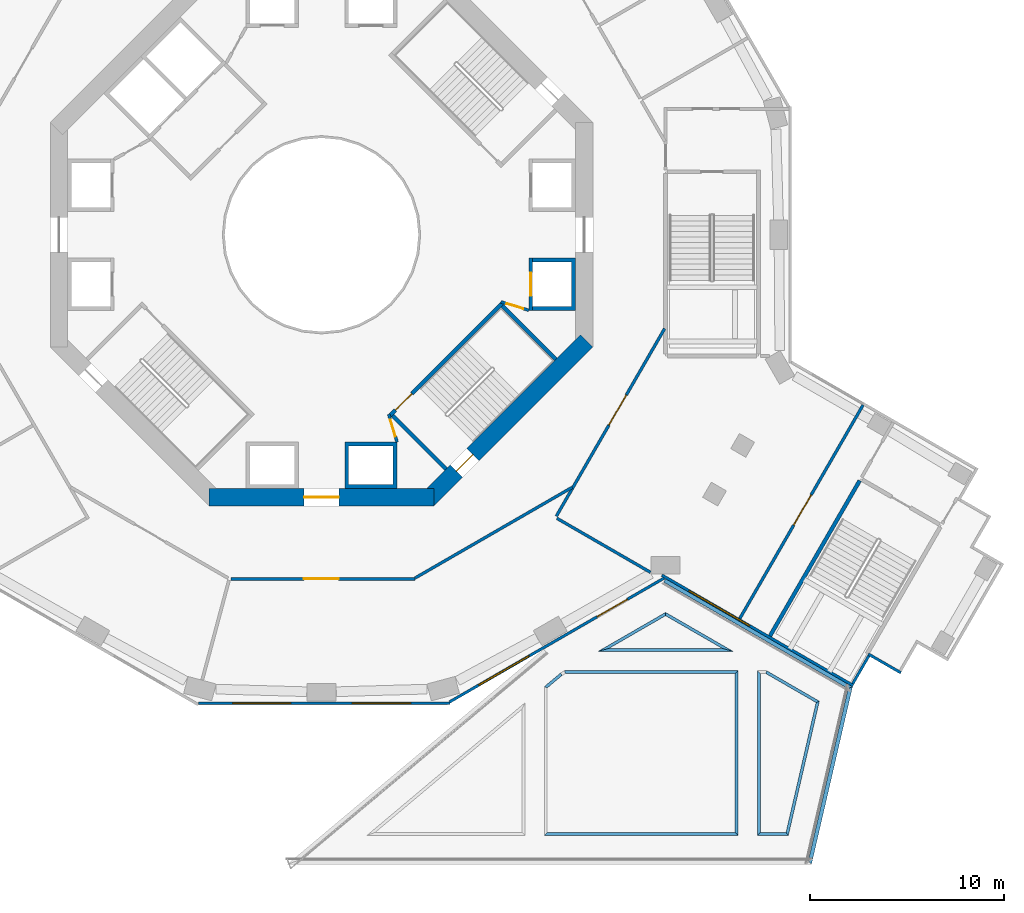
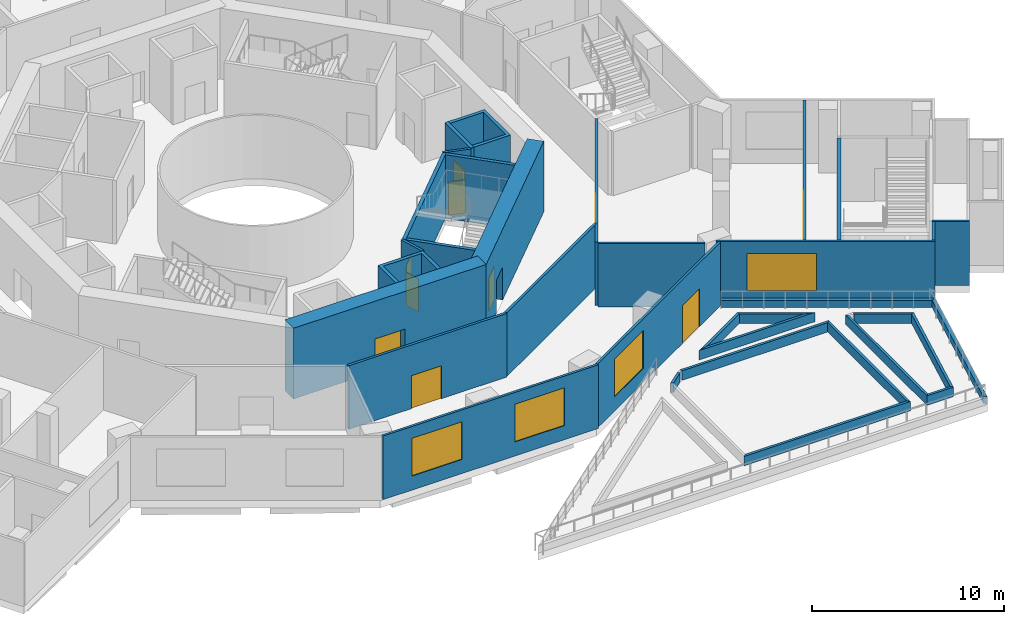
# One storey, part 4 of 21: 34 walls, 10 doors, 4 windows, 14 openings.
"""IFC4 building model written with IfcOpenShell, lengths in metres."""

from ifc_helpers import new_model, si_unit, direction, frame, frame_2d, origin, place, context, subcontext, project, spatial, polyline, rectangle, outline, extrude, material, layer, layer_set, type_object, element, fill, save


model = new_model("IFC4")

# Units and contexts
model_context = context("Model", 3, precision=1e-05, world=origin(), true_north=direction((0.0, 1.0)))
body_context = subcontext(model_context, "Body", "Model", "MODEL_VIEW")
ifc_project = project(units=[si_unit("LENGTHUNIT", "METRE"), si_unit("AREAUNIT", "SQUARE_METRE"), si_unit("VOLUMEUNIT", "CUBIC_METRE"), si_unit("PLANEANGLEUNIT", "RADIAN"), si_unit("MASSUNIT", "GRAM", prefix="KILO")], contexts=[model_context])

# Site, building, storey
site_placement = place(None, origin())
site = spatial("IfcSite", under=ifc_project, at=site_placement, CompositionType="ELEMENT")
building_placement = place(site_placement, origin())
building = spatial("IfcBuilding", under=site, at=building_placement, Name="Verdalira Terraces Hotel", CompositionType="ELEMENT")
storey_placement = place(building_placement, frame((0.0, 0.0, 19.0)))
storey = spatial("IfcBuildingStorey", under=building, at=storey_placement, Name="L03", CompositionType="ELEMENT", Elevation=19.0)

# Wall
ifc_material_1 = material(Name="Concrete C50", Category="concrete")
ifc_layer_1 = layer(ifc_material_1, 0.199951171875)
ifc_layer_set_1 = layer_set([ifc_layer_1], Name="Core RC wall 200 C50")
wall_type_1 = type_object("IfcWallType", Name="Core RC wall 200 C50", PredefinedType="SOLIDWALL", material=ifc_layer_set_1)
wall_1_placement = place(storey_placement, origin())
element("IfcWall", 1, at=wall_1_placement, inside=storey, type_object=wall_type_1, Name="L03 shaft wall E1", PredefinedType="SOLIDWALL", context=body_context, shape_type="SweptSolid", body=[
    extrude(outline(polyline([(13.100098, -3.899902), (10.899902, -3.899902), (10.899902, -3.699951), (12.899902, -3.699951), (12.899902, -1.399902), (10.899902, -1.399902), (10.899902, -1.199951), (13.100098, -1.199951), (13.100098, -3.899902)])), origin(), (0.0, 0.0, 1.0), 4.050049),
])

# Wall, opening, door
wall_2_placement = place(storey_placement, frame((10.800049, -1.199951, 0.0), z_axis=(0.0, 0.0, 1.0), x_axis=(0.0, -1.0, 0.0)))
wall_2 = element("IfcWall", 2, at=wall_2_placement, inside=storey, type_object=wall_type_1, Name="L03 shaft front wall E1", PredefinedType="SOLIDWALL", context=body_context, shape_type="SweptSolid", body=[
    extrude(rectangle(XDim=2.699951, YDim=0.199951, at=frame_2d((1.350098, 0.0))), origin(), (0.0, 0.0, 1.0), 4.050049),
])
opening_1_placement = place(wall_2_placement, frame((0.75, 0.0, 0.0)))
opening_1 = element("IfcOpeningElement", 3, at=opening_1_placement, cuts=wall_2, Name="Opening LD-L03-801", PredefinedType="OPENING", context=body_context, shape_type="SweptSolid", body=[
    extrude(rectangle(XDim=1.199951, YDim=2.100098, at=frame_2d((0.600098, 1.050049))), frame((0.0, 0.109863, 0.0), z_axis=(0.0, -1.0, 0.0), x_axis=(1.0, 0.0, 0.0)), (0.0, 0.0, 1.0), 0.219971),
])
ifc_material_2 = material(Name="Stainless steel", Category="steel")
door_type_1 = type_object("IfcDoorType", Name="Landing door 1200 x 2100", OperationType="NOTDEFINED", PredefinedType="DOOR", material=ifc_material_2)
door_1_placement = place(opening_1_placement, origin())
door_1 = element("IfcDoor", 4, at=door_1_placement, inside=storey, type_object=door_type_1, Name="Lift landing door LR1 L03", OperationType="DOUBLE_DOOR_SLIDING", OverallHeight=2.10009765625, OverallWidth=1.199951171875, PredefinedType="DOOR", context=body_context, shape_type="SweptSolid", body=[
    extrude(rectangle(XDim=1.199951, YDim=2.100098, at=frame_2d((0.600098, 1.050049))), frame((0.0, 0.024902, 0.0), z_axis=(0.0, -1.0, 0.0), x_axis=(1.0, 0.0, 0.0)), (0.0, 0.0, 1.0), 0.050049),
])
fill(opening_1, door_1)

# Wall
wall_3_placement = place(storey_placement, origin())
element("IfcWall", 5, at=wall_3_placement, inside=storey, type_object=wall_type_1, Name="L03 shaft wall S2", PredefinedType="SOLIDWALL", context=body_context, shape_type="SweptSolid", body=[
    extrude(outline(polyline([(3.899902, -10.699951), (3.899902, -13.100098), (1.199951, -13.100098), (1.199951, -10.699951), (3.899902, -10.699951)]), holes=[polyline([(1.399902, -12.899902), (3.699951, -12.899902), (3.699951, -10.899902), (1.399902, -10.899902), (1.399902, -12.899902)])]), origin(), (0.0, 0.0, 1.0), 4.050049),
])

# Wall, opening, door
wall_4_placement = place(storey_placement, frame((9.33374, -3.5354, 0.0), z_axis=(0.0, 0.0, 1.0), x_axis=(-0.707106781, -0.707106781, 0.0)))
wall_4 = element("IfcWall", 6, at=wall_4_placement, inside=storey, type_object=wall_type_1, Name="L03 stair ST3 front wall", PredefinedType="SOLIDWALL", context=body_context, shape_type="SweptSolid", body=[
    extrude(rectangle(XDim=8.200195, YDim=0.199951, at=frame_2d((4.100098, 0.0))), origin(), (0.0, 0.0, 1.0), 4.050049),
])
opening_2_placement = place(wall_4_placement, frame((6.600098, 0.0, 0.0)))
opening_2 = element("IfcOpeningElement", 7, at=opening_2_placement, cuts=wall_4, Name="Opening L03-811", PredefinedType="OPENING", context=body_context, shape_type="SweptSolid", body=[
    extrude(rectangle(XDim=1.199951, YDim=2.100098, at=frame_2d((0.600098, 1.050049))), frame((0.0, 0.109863, 0.0), z_axis=(0.0, -1.0, 0.0), x_axis=(1.0, 0.0, 0.0)), (0.0, 0.0, 1.0), 0.219971),
])
ifc_material_3 = material(Name="Steel fire door", Category="steel")
door_type_2 = type_object("IfcDoorType", Name="Stair door 1200 x 2100", OperationType="NOTDEFINED", PredefinedType="DOOR", material=ifc_material_3)
door_2_placement = place(opening_2_placement, origin())
door_2 = element("IfcDoor", 8, at=door_2_placement, inside=storey, type_object=door_type_2, Name="Stair door ST3 L03", OperationType="SINGLE_SWING_RIGHT", OverallHeight=2.10009765625, OverallWidth=1.199951171875, PredefinedType="DOOR", context=body_context, shape_type="SweptSolid", body=[
    extrude(rectangle(XDim=1.199951, YDim=2.100098, at=frame_2d((0.600098, 1.050049))), frame((0.0, 0.024902, 0.0), z_axis=(0.0, -1.0, 0.0), x_axis=(1.0, 0.0, 0.0)), (0.0, 0.0, 1.0), 0.050049),
])
fill(opening_2, door_2)

# Walls
for number, where, z_axis, x_axis, name in (
    (9, (3.677002, -9.33374, 0.0), (0.0, 0.0, 1.0), (0.707106781, -0.707106781, 0.0), "L03 stair ST3 end wall 1"),
    (10, (9.33374, -3.677002, 0.0), (0.0, 0.0, 1.0), (0.707106781, -0.707106781, 0.0), "L03 stair ST3 end wall 2"),
):
    element("IfcWall", number, at=place(storey_placement, frame(where, z_axis=z_axis, x_axis=x_axis)), inside=storey, type_object=wall_type_1, Name=name, PredefinedType="SOLIDWALL", context=body_context, shape_type="SweptSolid", body=[
        extrude(rectangle(XDim=3.900146, YDim=0.199951, at=frame_2d((1.950195, 0.0))), origin(), (0.0, 0.0, 1.0), 4.050049),
    ])

# Wall, opening, door
ifc_material_4 = material(Name="Gypsum board partition")
ifc_layer_2 = layer(ifc_material_4, 0.14990234375)
ifc_layer_set_2 = layer_set([ifc_layer_2], Name="Core partition 150 mm")
wall_type_2 = type_object("IfcWallType", Name="Core partition 150 mm", PredefinedType="PARTITIONING", material=ifc_layer_set_2)
wall_5_placement = place(storey_placement, frame((3.899902, -10.699951, 0.0), z_axis=(0.0, 0.0, 1.0), x_axis=(-0.289808785, 0.957084567, 0.0)))
wall_5 = element("IfcWall", 11, at=wall_5_placement, inside=storey, type_object=wall_type_2, Name="Room partition L03", PredefinedType="PARTITIONING", context=body_context, shape_type="SweptSolid", body=[
    extrude(rectangle(XDim=1.501221, YDim=0.149902, at=frame_2d((0.750488, 0.0))), origin(), (0.0, 0.0, 1.0), 4.050049),
])
opening_3_placement = place(wall_5_placement, frame((0.300781, 0.0, 0.0)))
opening_3 = element("IfcOpeningElement", 12, at=opening_3_placement, cuts=wall_5, Name="Opening L03-822", PredefinedType="OPENING", context=body_context, shape_type="SweptSolid", body=[
    extrude(rectangle(XDim=0.899902, YDim=2.100098, at=frame_2d((0.449951, 1.050049))), frame((0.0, 0.084961, 0.0), z_axis=(0.0, -1.0, 0.0), x_axis=(1.0, 0.0, 0.0)), (0.0, 0.0, 1.0), 0.169922),
])
ifc_material_5 = material(Name="Steel fire door", Category="steel")
door_type_3 = type_object("IfcDoorType", Name="Core room door 900 x 2100", OperationType="NOTDEFINED", PredefinedType="DOOR", material=ifc_material_5)
door_3_placement = place(opening_3_placement, origin())
door_3 = element("IfcDoor", 13, at=door_3_placement, inside=storey, type_object=door_type_3, Name="Door L03 room6", OperationType="SINGLE_SWING_LEFT", OverallHeight=2.10009765625, OverallWidth=0.89990234375, PredefinedType="DOOR", context=body_context, shape_type="SweptSolid", body=[
    extrude(rectangle(XDim=0.899902, YDim=2.100098, at=frame_2d((0.449951, 1.050049))), frame((0.0, 0.024902, 0.0), z_axis=(0.0, -1.0, 0.0), x_axis=(1.0, 0.0, 0.0)), (0.0, 0.0, 1.0), 0.050049),
])
fill(opening_3, door_3)

wall_6_placement = place(storey_placement, frame((9.263184, -3.464844, 0.0), z_axis=(0.0, 0.0, 1.0), x_axis=(0.957084567, -0.289808785, 0.0)))
wall_6 = element("IfcWall", 14, at=wall_6_placement, inside=storey, type_object=wall_type_2, Name="Room partition L03", PredefinedType="PARTITIONING", context=body_context, shape_type="SweptSolid", body=[
    extrude(rectangle(XDim=1.501221, YDim=0.149902, at=frame_2d((0.750488, 0.0))), origin(), (0.0, 0.0, 1.0), 4.050049),
])
opening_4_placement = place(wall_6_placement, frame((0.300781, 0.0, 0.0)))
opening_4 = element("IfcOpeningElement", 15, at=opening_4_placement, cuts=wall_6, Name="Opening L03-823", PredefinedType="OPENING", context=body_context, shape_type="SweptSolid", body=[
    extrude(rectangle(XDim=0.899902, YDim=2.100098, at=frame_2d((0.449951, 1.050049))), frame((0.0, 0.084961, 0.0), z_axis=(0.0, -1.0, 0.0), x_axis=(1.0, 0.0, 0.0)), (0.0, 0.0, 1.0), 0.169922),
])
door_4_placement = place(opening_4_placement, origin())
door_4 = element("IfcDoor", 16, at=door_4_placement, inside=storey, type_object=door_type_3, Name="Door L03 room7", OperationType="SINGLE_SWING_LEFT", OverallHeight=2.10009765625, OverallWidth=0.89990234375, PredefinedType="DOOR", context=body_context, shape_type="SweptSolid", body=[
    extrude(rectangle(XDim=0.899902, YDim=2.100098, at=frame_2d((0.449951, 1.050049))), frame((0.0, 0.024902, 0.0), z_axis=(0.0, -1.0, 0.0), x_axis=(1.0, 0.0, 0.0)), (0.0, 0.0, 1.0), 0.050049),
])
fill(opening_4, door_4)

ifc_material_6 = material(Name="Concrete C70", Category="concrete")
ifc_layer_3 = layer(ifc_material_6, 0.89990234375)
ifc_layer_set_3 = layer_set([ifc_layer_3], Name="Core wall 900 C70")
wall_type_3 = type_object("IfcWallType", Name="Core wall 900 C70", PredefinedType="SHEAR", material=ifc_layer_set_3)
wall_7_placement = place(storey_placement, frame((-5.799072, -13.550049, 0.0), z_axis=(0.0, 0.0, 1.0), x_axis=(1.0, 0.0, 0.0)))
wall_7 = element("IfcWall", 17, at=wall_7_placement, inside=storey, type_object=wall_type_3, Name="Core wall CW-L03-7", PredefinedType="SHEAR", context=body_context, shape_type="SweptSolid", body=[
    extrude(rectangle(XDim=11.598145, YDim=0.899902, at=frame_2d((5.799072, 0.0))), origin(), (0.0, 0.0, 1.0), 4.5),
])
opening_5_placement = place(wall_7_placement, frame((4.898926, 0.0, 0.0)))
opening_5 = element("IfcOpeningElement", 18, at=opening_5_placement, cuts=wall_7, Name="Opening L03-815", PredefinedType="OPENING", context=body_context, shape_type="SweptSolid", body=[
    extrude(rectangle(XDim=1.800049, YDim=2.100098, at=frame_2d((0.899902, 1.050049))), frame((0.0, 0.459961, 0.0), z_axis=(0.0, -1.0, 0.0), x_axis=(1.0, 0.0, 0.0)), (0.0, 0.0, 1.0), 0.919922),
])
ifc_material_7 = material(Name="Steel fire door", Category="steel")
door_type_4 = type_object("IfcDoorType", Name="Core entry door pair 1800 x 2100", OperationType="NOTDEFINED", PredefinedType="DOOR", material=ifc_material_7)
door_5_placement = place(opening_5_placement, origin())
door_5 = element("IfcDoor", 19, at=door_5_placement, inside=storey, type_object=door_type_4, Name="Core entry door L03 6", OperationType="DOUBLE_DOOR_SINGLE_SWING", OverallHeight=2.10009765625, OverallWidth=1.800048828125, PredefinedType="DOOR", context=body_context, shape_type="SweptSolid", body=[
    extrude(rectangle(XDim=1.800049, YDim=2.100098, at=frame_2d((0.899902, 1.050049))), frame((0.0, 0.024902, 0.0), z_axis=(0.0, -1.0, 0.0), x_axis=(1.0, 0.0, 0.0)), (0.0, 0.0, 1.0), 0.050049),
])
fill(opening_5, door_5)

wall_8_placement = place(storey_placement, frame((5.480713, -13.681885, 0.0), z_axis=(0.0, 0.0, 1.0), x_axis=(0.707106781, 0.707106781, 0.0)))
wall_8 = element("IfcWall", 20, at=wall_8_placement, inside=storey, type_object=wall_type_3, Name="Core wall CW-L03-8", PredefinedType="SHEAR", context=body_context, shape_type="SweptSolid", body=[
    extrude(rectangle(XDim=11.598145, YDim=0.899902, at=frame_2d((5.799072, 0.0))), origin(), (0.0, 0.0, 1.0), 4.5),
])
opening_6_placement = place(wall_8_placement, frame((2.099121, 0.0, 0.0)))
opening_6 = element("IfcOpeningElement", 21, at=opening_6_placement, cuts=wall_8, Name="Opening L03-818", PredefinedType="OPENING", context=body_context, shape_type="SweptSolid", body=[
    extrude(rectangle(XDim=1.199951, YDim=2.100098, at=frame_2d((0.600098, 1.050049))), frame((0.0, 0.459961, 0.0), z_axis=(0.0, -1.0, 0.0), x_axis=(1.0, 0.0, 0.0)), (0.0, 0.0, 1.0), 0.919922),
])
door_6_placement = place(opening_6_placement, origin())
door_6 = element("IfcDoor", 22, at=door_6_placement, inside=storey, type_object=door_type_2, Name="Stair exit door ST3 L03", OperationType="SINGLE_SWING_LEFT", OverallHeight=2.10009765625, OverallWidth=1.199951171875, PredefinedType="DOOR", context=body_context, shape_type="SweptSolid", body=[
    extrude(rectangle(XDim=1.199951, YDim=2.100098, at=frame_2d((0.600098, 1.050049))), frame((0.0, 0.024902, 0.0), z_axis=(0.0, -1.0, 0.0), x_axis=(1.0, 0.0, 0.0)), (0.0, 0.0, 1.0), 0.050049),
])
fill(opening_6, door_6)

ifc_material_8 = material(Name="Gypsum board partition on steel stud", Category="steel")
ifc_layer_4 = layer(ifc_material_8, 0.14990234375)
ifc_layer_set_4 = layer_set([ifc_layer_4], Name="Fire-rated partition 150 mm")
wall_type_4 = type_object("IfcWallType", Name="Fire-rated partition 150 mm", PredefinedType="PARTITIONING", material=ifc_layer_set_4)
wall_9_placement = place(storey_placement, frame((-4.68335, -17.758301, 0.0), z_axis=(0.0, 0.0, 1.0), x_axis=(1.0, 0.0, 0.0)))
wall_9 = element("IfcWall", 23, at=wall_9_placement, inside=storey, type_object=wall_type_4, Name="Partition", PredefinedType="PARTITIONING", context=body_context, shape_type="SweptSolid", body=[
    extrude(rectangle(XDim=9.516602, YDim=0.149902, at=frame_2d((4.758301, 0.0))), origin(), (0.0, 0.0, 1.0), 4.050049),
])
opening_7_placement = place(wall_9_placement, frame((3.766602, 0.0, 0.0)))
opening_7 = element("IfcOpeningElement", 24, at=opening_7_placement, cuts=wall_9, Name="Opening L03-D15", PredefinedType="OPENING", context=body_context, shape_type="SweptSolid", body=[
    extrude(rectangle(XDim=1.800049, YDim=2.100098, at=frame_2d((0.899902, 1.050049))), frame((0.0, 0.084961, 0.0), z_axis=(0.0, -1.0, 0.0), x_axis=(1.0, 0.0, 0.0)), (0.0, 0.0, 1.0), 0.169922),
])
ifc_material_9 = material(Name="Steel fire door", Category="steel")
door_type_5 = type_object("IfcDoorType", Name="Fire door pair 1800 x 2100", OperationType="DOUBLE_DOOR_SINGLE_SWING", PredefinedType="DOOR", material=ifc_material_9)
door_7_placement = place(opening_7_placement, origin())
door_7 = element("IfcDoor", 25, at=door_7_placement, inside=storey, type_object=door_type_5, Name="Ring corridor door", OperationType="DOUBLE_DOOR_SINGLE_SWING", OverallHeight=2.10009765625, OverallWidth=1.800048828125, PredefinedType="DOOR", context=body_context, shape_type="SweptSolid", body=[
    extrude(rectangle(XDim=1.800049, YDim=2.100098, at=frame_2d((0.899902, 1.050049))), frame((0.0, 0.024902, 0.0), z_axis=(0.0, -1.0, 0.0), x_axis=(1.0, 0.0, 0.0)), (0.0, 0.0, 1.0), 0.050049),
])
fill(opening_7, door_7)

# Walls
wall_10_placement = place(storey_placement, frame((12.144287, -14.632568, 0.0), z_axis=(0.0, 0.0, 1.0), x_axis=(0.866016603, -0.500015243, 0.0)))
element("IfcWall", 26, at=wall_10_placement, inside=storey, type_object=wall_type_4, Name="Partition", PredefinedType="PARTITIONING", context=body_context, shape_type="SweptSolid", body=[
    extrude(rectangle(XDim=5.581787, YDim=0.149902, at=frame_2d((2.791016, 0.0))), origin(), (0.0, 0.0, 1.0), 4.050049),
])
wall_11_placement = place(storey_placement, frame((12.935059, -13.037598, 0.0), z_axis=(0.0, 0.0, 1.0), x_axis=(-0.866037142, -0.499979668, 0.0)))
element("IfcWall", 27, at=wall_11_placement, inside=storey, type_object=wall_type_4, Name="Partition", PredefinedType="PARTITIONING", context=body_context, shape_type="SweptSolid", body=[
    extrude(rectangle(XDim=9.366699, YDim=0.149902, at=frame_2d((4.68335, 0.0))), origin(), (0.0, 0.0, 1.0), 4.050049),
])

# Wall, opening, door
wall_12_placement = place(storey_placement, frame((12.116699, -14.529785, 0.0), z_axis=(0.0, 0.0, 1.0), x_axis=(0.500001509, 0.866024532, 0.0)))
wall_12 = element("IfcWall", 28, at=wall_12_placement, inside=storey, type_object=wall_type_4, Name="Partition", PredefinedType="PARTITIONING", context=body_context, shape_type="SweptSolid", body=[
    extrude(rectangle(XDim=11.183105, YDim=0.149902, at=frame_2d((5.591553, 0.0))), origin(), (0.0, 0.0, 1.0), 4.050049),
])
opening_8_placement = place(wall_12_placement, frame((5.433105, 0.0, 0.0)))
opening_8 = element("IfcOpeningElement", 29, at=opening_8_placement, cuts=wall_12, Name="Opening L03-D19", PredefinedType="OPENING", context=body_context, shape_type="SweptSolid", body=[
    extrude(rectangle(XDim=1.800049, YDim=2.100098, at=frame_2d((0.899902, 1.050049))), frame((0.0, 0.084961, 0.0), z_axis=(0.0, -1.0, 0.0), x_axis=(1.0, 0.0, 0.0)), (0.0, 0.0, 1.0), 0.169922),
])
door_8_placement = place(opening_8_placement, origin())
door_8 = element("IfcDoor", 30, at=door_8_placement, inside=storey, type_object=door_type_5, Name="Ring corridor door", OperationType="DOUBLE_DOOR_SINGLE_SWING", OverallHeight=2.10009765625, OverallWidth=1.800048828125, PredefinedType="DOOR", context=body_context, shape_type="SweptSolid", body=[
    extrude(rectangle(XDim=1.800049, YDim=2.100098, at=frame_2d((0.899902, 1.050049))), frame((0.0, 0.024902, 0.0), z_axis=(0.0, -1.0, 0.0), x_axis=(1.0, 0.0, 0.0)), (0.0, 0.0, 1.0), 0.050049),
])
fill(opening_8, door_8)

wall_13_placement = place(storey_placement, frame((27.948242, -8.791992, 0.0), z_axis=(0.0, 0.0, 1.0), x_axis=(-0.499991053, -0.866030569, 0.0)))
wall_13 = element("IfcWall", 31, at=wall_13_placement, inside=storey, type_object=wall_type_4, Name="Partition", PredefinedType="PARTITIONING", context=body_context, shape_type="SweptSolid", body=[
    extrude(rectangle(XDim=12.719971, YDim=0.149902, at=frame_2d((6.359863, 0.0))), origin(), (0.0, 0.0, 1.0), 4.050049),
])
opening_9_placement = place(wall_13_placement, frame((5.350098, 0.0, 0.0)))
opening_9 = element("IfcOpeningElement", 32, at=opening_9_placement, cuts=wall_13, Name="Opening L03-D24", PredefinedType="OPENING", context=body_context, shape_type="SweptSolid", body=[
    extrude(rectangle(XDim=1.800049, YDim=2.100098, at=frame_2d((0.899902, 1.050049))), frame((0.0, 0.084961, 0.0), z_axis=(0.0, -1.0, 0.0), x_axis=(1.0, 0.0, 0.0)), (0.0, 0.0, 1.0), 0.169922),
])
door_9_placement = place(opening_9_placement, origin())
door_9 = element("IfcDoor", 33, at=door_9_placement, inside=storey, type_object=door_type_5, Name="Stair approach corridor door", OperationType="DOUBLE_DOOR_SINGLE_SWING", OverallHeight=2.10009765625, OverallWidth=1.800048828125, PredefinedType="DOOR", context=body_context, shape_type="SweptSolid", body=[
    extrude(rectangle(XDim=1.800049, YDim=2.100098, at=frame_2d((0.899902, 1.050049))), frame((0.0, 0.024902, 0.0), z_axis=(0.0, -1.0, 0.0), x_axis=(1.0, 0.0, 0.0)), (0.0, 0.0, 1.0), 0.050049),
])
fill(opening_9, door_9)

# Walls
ifc_material_10 = material(Name="Concrete C50", Category="concrete")
ifc_layer_5 = layer(ifc_material_10, 0.199951171875)
ifc_layer_set_5 = layer_set([ifc_layer_5], Name="Stair enclosure wall 200 mm")
wall_type_5 = type_object("IfcWallType", Name="Stair enclosure wall 200 mm", PredefinedType="SOLIDWALL", material=ifc_layer_set_5)
wall_14_placement = place(storey_placement, frame((27.777344, -12.688477, 0.0), z_axis=(0.0, 0.0, 1.0), x_axis=(-0.500003922, -0.866023139, 0.0)))
element("IfcWall", 34, at=wall_14_placement, inside=storey, type_object=wall_type_5, Name="Stair enclosure wall", PredefinedType="SOLIDWALL", context=body_context, shape_type="SweptSolid", body=[
    extrude(rectangle(XDim=9.260254, YDim=0.199951, at=frame_2d((4.630127, 0.0))), origin(), (0.0, 0.0, 1.0), 4.050049),
])
ifc_material_11 = material(Name="Concrete C40", Category="concrete")
ifc_layer_6 = layer(ifc_material_11, 0.14990234375)
ifc_layer_set_6 = layer_set([ifc_layer_6], Name="Terrace planter trough 150 x 600")
wall_type_6 = type_object("IfcWallType", Name="Terrace planter trough 150 x 600", PredefinedType="SOLIDWALL", material=ifc_layer_set_6)
wall_15_placement = place(storey_placement, origin())
element("IfcWall", 35, at=wall_15_placement, inside=storey, type_object=wall_type_6, Name="Terrace planting bed trough", PredefinedType="SOLIDWALL", context=body_context, shape_type="SweptSolid", body=[
    extrude(outline(polyline([(12.331543, -22.623535), (11.5, -23.321289), (11.649902, -23.391113), (12.417725, -22.746826), (12.331543, -22.623535)])), origin(), (0.0, 0.0, 1.0), 0.600098),
])
wall_16_placement = place(storey_placement, origin())
element("IfcWall", 36, at=wall_16_placement, inside=storey, type_object=wall_type_6, Name="Terrace planting bed trough", PredefinedType="SOLIDWALL", context=body_context, shape_type="SweptSolid", body=[
    extrude(outline(polyline([(11.5, -31.0), (21.5, -31.0), (21.350098, -30.850098), (11.649902, -30.850098), (11.5, -31.0)])), origin(), (0.0, 0.0, 1.0), 0.600098),
])
wall_17_placement = place(storey_placement, origin())
element("IfcWall", 37, at=wall_17_placement, inside=storey, type_object=wall_type_6, Name="Terrace planting bed trough", PredefinedType="SOLIDWALL", context=body_context, shape_type="SweptSolid", body=[
    extrude(outline(polyline([(21.5, -31.0), (21.5, -22.5), (21.350098, -22.649902), (21.350098, -30.850098), (21.5, -31.0)])), origin(), (0.0, 0.0, 1.0), 0.600098),
])
wall_18_placement = place(storey_placement, origin())
element("IfcWall", 38, at=wall_18_placement, inside=storey, type_object=wall_type_6, Name="Terrace planting bed trough", PredefinedType="SOLIDWALL", context=body_context, shape_type="SweptSolid", body=[
    extrude(outline(polyline([(21.5, -22.5), (12.54541, -22.5), (12.585693, -22.649902), (21.350098, -22.649902), (21.5, -22.5)])), origin(), (0.0, 0.0, 1.0), 0.600098),
])
wall_19_placement = place(storey_placement, origin())
element("IfcWall", 39, at=wall_19_placement, inside=storey, type_object=wall_type_6, Name="Terrace planting bed trough", PredefinedType="SOLIDWALL", context=body_context, shape_type="SweptSolid", body=[
    extrude(outline(polyline([(17.758301, -19.490479), (14.277588, -21.5), (14.837402, -21.350098), (17.758301, -19.663574), (17.758301, -19.490479)])), origin(), (0.0, 0.0, 1.0), 0.600098),
])
wall_20_placement = place(storey_placement, origin())
element("IfcWall", 40, at=wall_20_placement, inside=storey, type_object=wall_type_6, Name="Terrace planting bed trough", PredefinedType="SOLIDWALL", context=body_context, shape_type="SweptSolid", body=[
    extrude(outline(polyline([(14.277588, -21.5), (21.239014, -21.5), (20.679199, -21.350098), (14.837402, -21.350098), (14.277588, -21.5)])), origin(), (0.0, 0.0, 1.0), 0.600098),
])
wall_21_placement = place(storey_placement, origin())
element("IfcWall", 41, at=wall_21_placement, inside=storey, type_object=wall_type_6, Name="Terrace planting bed trough", PredefinedType="SOLIDWALL", context=body_context, shape_type="SweptSolid", body=[
    extrude(outline(polyline([(21.239014, -21.5), (17.758301, -19.490479), (17.758301, -19.663574), (20.679199, -21.350098), (21.239014, -21.5)])), origin(), (0.0, 0.0, 1.0), 0.600098),
])
wall_22_placement = place(storey_placement, origin())
element("IfcWall", 42, at=wall_22_placement, inside=storey, type_object=wall_type_6, Name="Terrace planting bed trough", PredefinedType="SOLIDWALL", context=body_context, shape_type="SweptSolid", body=[
    extrude(outline(polyline([(25.695801, -24.072998), (22.971191, -22.5), (22.930908, -22.649902), (25.524658, -24.147461), (25.695801, -24.072998)])), origin(), (0.0, 0.0, 1.0), 0.600098),
])
wall_23_placement = place(storey_placement, origin())
element("IfcWall", 43, at=wall_23_placement, inside=storey, type_object=wall_type_6, Name="Terrace planting bed trough", PredefinedType="SOLIDWALL", context=body_context, shape_type="SweptSolid", body=[
    extrude(outline(polyline([(22.5, -22.5), (22.5, -31.0), (22.649902, -30.850098), (22.649902, -22.649902), (22.5, -22.5)])), origin(), (0.0, 0.0, 1.0), 0.600098),
])
wall_24_placement = place(storey_placement, origin())
element("IfcWall", 44, at=wall_24_placement, inside=storey, type_object=wall_type_6, Name="Terrace planting bed trough", PredefinedType="SOLIDWALL", context=body_context, shape_type="SweptSolid", body=[
    extrude(outline(polyline([(22.5, -31.0), (24.093994, -31.0), (23.974854, -30.850098), (22.649902, -30.850098), (22.5, -31.0)])), origin(), (0.0, 0.0, 1.0), 0.600098),
])
wall_25_placement = place(storey_placement, origin())
element("IfcWall", 45, at=wall_25_placement, inside=storey, type_object=wall_type_6, Name="Terrace planting bed trough", PredefinedType="SOLIDWALL", context=body_context, shape_type="SweptSolid", body=[
    extrude(outline(polyline([(24.093994, -31.0), (25.695801, -24.072998), (25.524658, -24.147461), (23.974854, -30.850098), (24.093994, -31.0)])), origin(), (0.0, 0.0, 1.0), 0.600098),
])
ifc_material_12 = material(Name="Concrete C40", Category="concrete")
ifc_layer_7 = layer(ifc_material_12, 0.199951171875)
ifc_layer_set_7 = layer_set([ifc_layer_7], Name="Terrace upstand 200 x 450")
wall_type_7 = type_object("IfcWallType", Name="Terrace upstand 200 x 450", PredefinedType="SOLIDWALL", material=ifc_layer_set_7)
wall_26_placement = place(storey_placement, origin())
element("IfcWall", 46, at=wall_26_placement, inside=storey, type_object=wall_type_7, Name="Terrace upstand", PredefinedType="SOLIDWALL", context=body_context, shape_type="SweptSolid", body=[
    extrude(outline(polyline([(25.127686, -32.300049), (25.286865, -32.5), (27.407227, -23.329102), (27.179199, -23.428223), (25.127686, -32.300049)])), origin(), (0.0, 0.0, 1.0), 0.449951),
])
wall_27_placement = place(storey_placement, origin())
element("IfcWall", 47, at=wall_27_placement, inside=storey, type_object=wall_type_7, Name="Terrace upstand", PredefinedType="SOLIDWALL", context=body_context, shape_type="SweptSolid", body=[
    extrude(outline(polyline([(27.179199, -23.428223), (27.407227, -23.329102), (17.758301, -17.758301), (17.658203, -17.931396), (27.179199, -23.428223)])), origin(), (0.0, 0.0, 1.0), 0.449951),
])

# Wall, opening, window
ifc_material_13 = material(Name="Concrete C40", Category="concrete")
ifc_layer_8 = layer(ifc_material_13, 0.139892578125)
ifc_layer_set_8 = layer_set([ifc_layer_8], Name="Terracotta clad concrete wall C40 140 mm")
wall_type_8 = type_object("IfcWallType", Name="Terracotta clad concrete wall C40 140 mm", PredefinedType="SOLIDWALL", material=ifc_layer_set_8)
wall_28_placement = place(storey_placement, frame((17.56543, -17.566162, 0.0), z_axis=(0.0, 0.0, 1.0), x_axis=(0.866028022, -0.499995465, 0.0)))
wall_28 = element("IfcWall", 48, at=wall_28_placement, inside=storey, type_object=wall_type_8, Name="Podium facade wall", PredefinedType="SOLIDWALL", context=body_context, shape_type="SweptSolid", body=[
    extrude(rectangle(XDim=11.404785, YDim=0.139893, at=frame_2d((5.702393, 0.0))), origin(), (0.0, 0.0, 1.0), 4.050049),
])
opening_10_placement = place(wall_28_placement, frame((1.623047, 0.0, 0.899902)))
opening_10 = element("IfcOpeningElement", 49, at=opening_10_placement, cuts=wall_28, Name="Opening WP", PredefinedType="OPENING", context=body_context, shape_type="SweptSolid", body=[
    extrude(rectangle(XDim=3.600098, YDim=2.399902, at=frame_2d((1.800049, 1.199951))), frame((0.0, 0.079834, 0.0), z_axis=(0.0, -1.0, 0.0), x_axis=(1.0, 0.0, 0.0)), (0.0, 0.0, 1.0), 0.159912),
])
ifc_material_14 = material(Name="Clear double glazing in aluminium frame", Category="aluminium")
window_type_1 = type_object("IfcWindowType", Name="Podium window 3600 x 2400", PartitioningType="SINGLE_PANEL", PredefinedType="WINDOW", material=ifc_material_14)
window_1_placement = place(opening_10_placement, origin())
window_1 = element("IfcWindow", 50, at=window_1_placement, inside=storey, type_object=window_type_1, Name="Podium window", OverallHeight=2.39990234375, OverallWidth=3.60009765625, PartitioningType="SINGLE_PANEL", PredefinedType="WINDOW", context=body_context, shape_type="SweptSolid", body=[
    extrude(rectangle(XDim=3.600098, YDim=2.399902, at=frame_2d((1.800049, 1.199951))), frame((0.0, 0.030029, 0.0), z_axis=(0.0, -1.0, 0.0), x_axis=(1.0, 0.0, 0.0)), (0.0, 0.0, 1.0), 0.060059),
])
fill(opening_10, window_1)

# Walls
wall_29_placement = place(storey_placement, frame((27.416748, -23.172852, 0.0), z_axis=(0.0, 0.0, 1.0), x_axis=(0.499951638, 0.866053324, 0.0)))
element("IfcWall", 51, at=wall_29_placement, inside=storey, type_object=wall_type_8, Name="Podium facade wall", PredefinedType="SOLIDWALL", context=body_context, shape_type="SweptSolid", body=[
    extrude(rectangle(XDim=1.659912, YDim=0.139893, at=frame_2d((0.830078, 0.0))), origin(), (0.0, 0.0, 1.0), 4.050049),
])
wall_30_placement = place(storey_placement, frame((28.221191, -21.639648, 0.0), z_axis=(0.0, 0.0, 1.0), x_axis=(0.866011627, -0.500023862, 0.0)))
element("IfcWall", 52, at=wall_30_placement, inside=storey, type_object=wall_type_8, Name="Podium facade wall", PredefinedType="SOLIDWALL", context=body_context, shape_type="SweptSolid", body=[
    extrude(rectangle(XDim=1.939941, YDim=0.139893, at=frame_2d((0.969971, 0.0))), origin(), (0.0, 0.0, 1.0), 4.050049),
])

# Wall, openings, windows
ifc_material_15 = material(Name="Terracotta cladding on steel stud backup", Category="masonry")
ifc_layer_9 = layer(ifc_material_15, 0.139892578125)
ifc_layer_set_9 = layer_set([ifc_layer_9], Name="Terracotta clad wall 140 mm")
wall_type_9 = type_object("IfcWallType", Name="Terracotta clad wall 140 mm", PredefinedType="SOLIDWALL", material=ifc_layer_set_9)
wall_31_placement = place(storey_placement, frame((-6.341309, -24.188232, 0.0), z_axis=(0.0, 0.0, 1.0), x_axis=(1.0, 0.0, 0.0)))
wall_31 = element("IfcWall", 53, at=wall_31_placement, inside=storey, type_object=wall_type_9, Name="Podium facade wall", PredefinedType="SOLIDWALL", context=body_context, shape_type="SweptSolid", body=[
    extrude(rectangle(XDim=12.962402, YDim=0.139893, at=frame_2d((6.481201, 0.0))), origin(), (0.0, 0.0, 1.0), 4.050049),
])
opening_11_placement = place(wall_31_placement, frame((1.747803, 0.0, 0.899902)))
opening_11 = element("IfcOpeningElement", 54, at=opening_11_placement, cuts=wall_31, Name="Opening WP", PredefinedType="OPENING", context=body_context, shape_type="SweptSolid", body=[
    extrude(rectangle(XDim=3.0, YDim=2.399902, at=frame_2d((1.5, 1.199951))), frame((0.0, 0.079834, 0.0), z_axis=(0.0, -1.0, 0.0), x_axis=(1.0, 0.0, 0.0)), (0.0, 0.0, 1.0), 0.159912),
])
opening_12_placement = place(wall_31_placement, frame((7.93457, 0.0, 0.899902)))
opening_12 = element("IfcOpeningElement", 55, at=opening_12_placement, cuts=wall_31, Name="Opening WP", PredefinedType="OPENING", context=body_context, shape_type="SweptSolid", body=[
    extrude(rectangle(XDim=3.0, YDim=2.399902, at=frame_2d((1.5, 1.199951))), frame((0.0, 0.079834, 0.0), z_axis=(0.0, -1.0, 0.0), x_axis=(1.0, 0.0, 0.0)), (0.0, 0.0, 1.0), 0.159912),
])
ifc_material_16 = material(Name="Clear double glazing in aluminium frame", Category="aluminium")
window_type_2 = type_object("IfcWindowType", Name="Podium window 3000 x 2400", PartitioningType="SINGLE_PANEL", PredefinedType="WINDOW", material=ifc_material_16)
window_2_placement = place(opening_11_placement, origin())
window_2 = element("IfcWindow", 56, at=window_2_placement, inside=storey, type_object=window_type_2, Name="Podium window", OverallHeight=2.39990234375, OverallWidth=3.0, PartitioningType="SINGLE_PANEL", PredefinedType="WINDOW", context=body_context, shape_type="SweptSolid", body=[
    extrude(rectangle(XDim=3.0, YDim=2.399902, at=frame_2d((1.5, 1.199951))), frame((0.0, 0.030029, 0.0), z_axis=(0.0, -1.0, 0.0), x_axis=(1.0, 0.0, 0.0)), (0.0, 0.0, 1.0), 0.060059),
])
fill(opening_11, window_2)
window_3_placement = place(opening_12_placement, origin())
window_3 = element("IfcWindow", 57, at=window_3_placement, inside=storey, type_object=window_type_2, Name="Podium window", OverallHeight=2.39990234375, OverallWidth=3.0, PartitioningType="SINGLE_PANEL", PredefinedType="WINDOW", context=body_context, shape_type="SweptSolid", body=[
    extrude(rectangle(XDim=3.0, YDim=2.399902, at=frame_2d((1.5, 1.199951))), frame((0.0, 0.030029, 0.0), z_axis=(0.0, -1.0, 0.0), x_axis=(1.0, 0.0, 0.0)), (0.0, 0.0, 1.0), 0.060059),
])
fill(opening_12, window_3)

# Wall, openings, window, door
wall_32_placement = place(storey_placement, frame((6.602539, -24.118408, 0.0), z_axis=(0.0, 0.0, 1.0), x_axis=(0.866023287, 0.500003667, 0.0)))
wall_32 = element("IfcWall", 58, at=wall_32_placement, inside=storey, type_object=wall_type_9, Name="Podium facade wall", PredefinedType="SOLIDWALL", context=body_context, shape_type="SweptSolid", body=[
    extrude(rectangle(XDim=12.800781, YDim=0.139893, at=frame_2d((6.400391, 0.0))), origin(), (0.0, 0.0, 1.0), 4.050049),
])
opening_13_placement = place(wall_32_placement, frame((1.747803, 0.0, 0.899902)))
opening_13 = element("IfcOpeningElement", 59, at=opening_13_placement, cuts=wall_32, Name="Opening WP", PredefinedType="OPENING", context=body_context, shape_type="SweptSolid", body=[
    extrude(rectangle(XDim=3.0, YDim=2.399902, at=frame_2d((1.5, 1.199951))), frame((0.0, 0.079834, 0.0), z_axis=(0.0, -1.0, 0.0), x_axis=(1.0, 0.0, 0.0)), (0.0, 0.0, 1.0), 0.159912),
])
opening_14_placement = place(wall_32_placement, frame((8.802246, 0.0, 0.0)))
opening_14 = element("IfcOpeningElement", 60, at=opening_14_placement, cuts=wall_32, Name="Opening L03-T01", PredefinedType="OPENING", context=body_context, shape_type="SweptSolid", body=[
    extrude(rectangle(XDim=1.800049, YDim=2.399902, at=frame_2d((0.899902, 1.199951))), frame((0.0, 0.079834, 0.0), z_axis=(0.0, -1.0, 0.0), x_axis=(1.0, 0.0, 0.0)), (0.0, 0.0, 1.0), 0.159912),
])
window_4_placement = place(opening_13_placement, origin())
window_4 = element("IfcWindow", 61, at=window_4_placement, inside=storey, type_object=window_type_2, Name="Podium window", OverallHeight=2.39990234375, OverallWidth=3.0, PartitioningType="SINGLE_PANEL", PredefinedType="WINDOW", context=body_context, shape_type="SweptSolid", body=[
    extrude(rectangle(XDim=3.0, YDim=2.399902, at=frame_2d((1.5, 1.199951))), frame((0.0, 0.030029, 0.0), z_axis=(0.0, -1.0, 0.0), x_axis=(1.0, 0.0, 0.0)), (0.0, 0.0, 1.0), 0.060059),
])
fill(opening_13, window_4)
ifc_material_17 = material(Name="Glazed aluminium door", Category="aluminium")
door_type_6 = type_object("IfcDoorType", Name="Terrace door pair 1800 x 2400", OperationType="DOUBLE_DOOR_SINGLE_SWING", PredefinedType="DOOR", material=ifc_material_17)
door_10_placement = place(opening_14_placement, origin())
door_10 = element("IfcDoor", 62, at=door_10_placement, inside=storey, type_object=door_type_6, Name="Terrace door", OperationType="DOUBLE_DOOR_SINGLE_SWING", OverallHeight=2.39990234375, OverallWidth=1.800048828125, PredefinedType="DOOR", context=body_context, shape_type="SweptSolid", body=[
    extrude(rectangle(XDim=1.800049, YDim=2.399902, at=frame_2d((0.899902, 1.199951))), frame((0.0, 0.024902, 0.0), z_axis=(0.0, -1.0, 0.0), x_axis=(1.0, 0.0, 0.0)), (0.0, 0.0, 1.0), 0.050049),
])
fill(opening_14, door_10)

save(model, "model.ifc")
